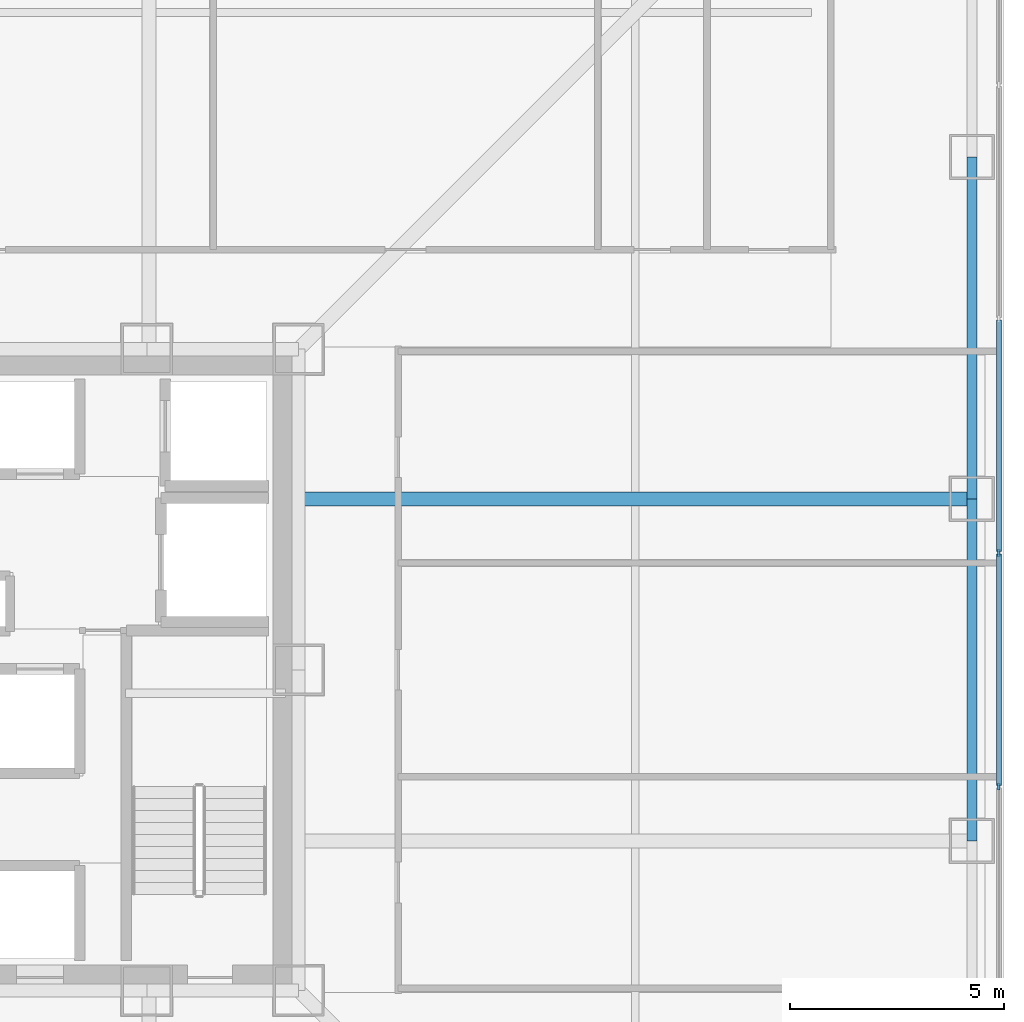
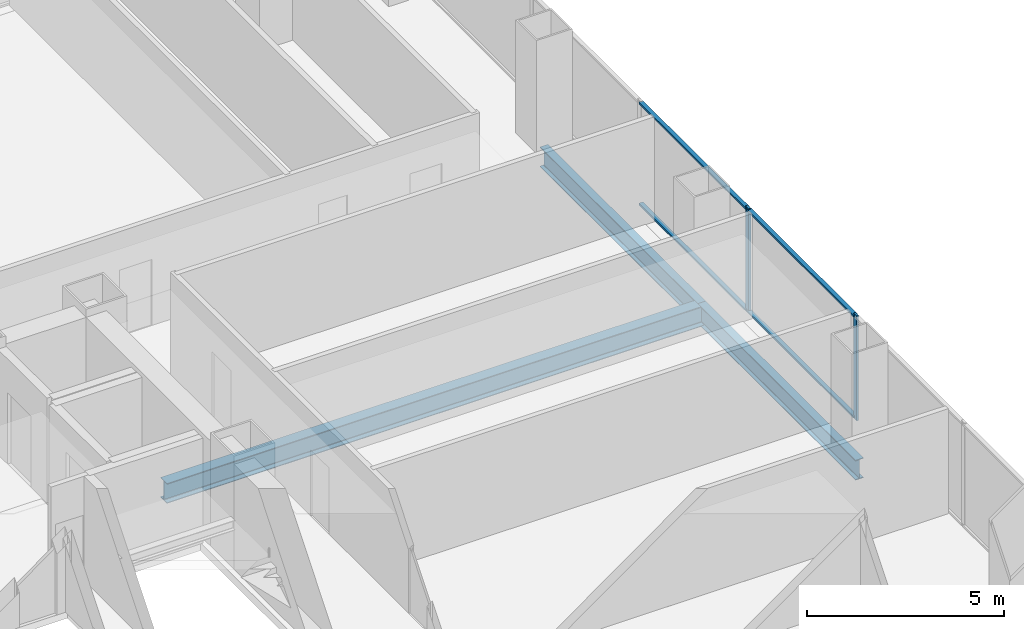
# One storey, part 10 of 19: 6 members, 3 beams, 1 element without a shape of its own.
"""IFC4 building model written with IfcOpenShell, lengths in metres."""

import ifcopenshell
import ifcopenshell.guid

model = None  # the IFC model being written
_history = None  # IfcOwnerHistory: only IFC2X3 demands one
_inside = {}  # id of a spatial element -> (the spatial element, [elements in it])
_under = {}  # id of a project, library or spatial element -> (it, [spatial elements below it])
_declared = {}  # id of a project -> (the project, [libraries it declares])
_typed = {}  # id of a type object -> (the type object, [elements of that type])
_made_of = {}  # id of a material, layer set ... -> (it, [elements and type objects made of it])


def new_model(schema):
    """Start an empty IFC model of exactly this schema.

    Asked for "IFC4X3", IfcOpenShell would pick the latest addendum, in which some entities
    have other attributes; the version numbers below select the first issue.
    IFC2X3 requires an IfcOwnerHistory on every rooted entity: one is made here for all.
    """
    global model, _history
    if schema == "IFC4X3":
        model = ifcopenshell.file(schema_version=(4, 3, 0, 0))
    else:
        model = ifcopenshell.file(schema=schema)
    _inside.clear()
    _under.clear()
    _declared.clear()
    _typed.clear()
    _made_of.clear()
    _history = None
    if model.schema == "IFC2X3":
        org = make("IfcOrganization", Name="unknown")
        user = make(
            "IfcPersonAndOrganization",
            ThePerson=make("IfcPerson", FamilyName="unknown"),
            TheOrganization=org,
        )
        app = make(
            "IfcApplication",
            ApplicationDeveloper=org,
            Version="unknown",
            ApplicationFullName="unknown",
            ApplicationIdentifier="unknown",
        )
        _history = make(
            "IfcOwnerHistory",
            OwningUser=user,
            OwningApplication=app,
            ChangeAction="ADDED",
            CreationDate=0,
        )
    return model


def make(cls, **values):
    """One entity of the class cls with the attributes given. An attribute that is None is left unset."""
    return model.create_entity(
        cls, **{name: value for name, value in values.items() if value is not None}
    )


def rooted(cls, **values):
    """An entity with a GlobalId (a new one), such as an element, a storey or a relation."""
    return make(cls, GlobalId=ifcopenshell.guid.new(), OwnerHistory=_history, **values)


def si_unit(unit_type, name, prefix=None):
    """IfcSIUnit, for example si_unit("LENGTHUNIT", "METRE", prefix="MILLI")."""
    return make("IfcSIUnit", UnitType=unit_type, Prefix=prefix, Name=name)


def assignment(units):
    """IfcUnitAssignment: the units of a project."""
    return None if units is None else make("IfcUnitAssignment", Units=units)


def point(xyz):
    """IfcCartesianPoint."""
    return None if xyz is None else make("IfcCartesianPoint", Coordinates=xyz)


def direction(xyz):
    """IfcDirection."""
    return None if xyz is None else make("IfcDirection", DirectionRatios=xyz)


def frame(location, z_axis=None, x_axis=None):
    """IfcAxis2Placement3D, a coordinate frame: its origin and axes. An axis left out is left unset."""
    return make(
        "IfcAxis2Placement3D",
        Location=point(location),
        Axis=direction(z_axis),
        RefDirection=direction(x_axis),
    )


def frame_2d(location, x_axis=None):
    """IfcAxis2Placement2D, a coordinate frame in the plane: its origin and x axis."""
    return make(
        "IfcAxis2Placement2D", Location=point(location), RefDirection=direction(x_axis)
    )


def origin():
    """The frame at (0, 0, 0) with its axes left unset."""
    return frame((0.0, 0.0, 0.0))


def origin_2d():
    """The frame at (0, 0) in the plane with its x axis left unset."""
    return frame_2d((0.0, 0.0))


def place(relative_to, where):
    """IfcLocalPlacement: puts the frame where relative to a parent placement (None: the world)."""
    return make(
        "IfcLocalPlacement", PlacementRelTo=relative_to, RelativePlacement=where
    )


def context(
    kind, dimensions, precision=None, world=None, true_north=None, identifier=None
):
    """IfcGeometricRepresentationContext, for example the 3D "Model" context."""
    return make(
        "IfcGeometricRepresentationContext",
        ContextIdentifier=identifier,
        ContextType=kind,
        CoordinateSpaceDimension=dimensions,
        Precision=precision,
        WorldCoordinateSystem=world,
        TrueNorth=true_north,
    )


def subcontext(parent, identifier, kind, view, scale=None):
    """IfcGeometricRepresentationSubContext, for example "Body" below "Model"."""
    return make(
        "IfcGeometricRepresentationSubContext",
        ContextIdentifier=identifier,
        ContextType=kind,
        ParentContext=parent,
        TargetScale=scale,
        TargetView=view,
    )


def project(units=None, contexts=None):
    """IfcProject with its units and contexts."""
    return rooted(
        "IfcProject",
        Name="project",
        RepresentationContexts=contexts,
        UnitsInContext=assignment(units),
    )


def spatial(cls, under=None, at=None, **own):
    """A site, building, storey or space (cls), placed at a placement, below another one or the project."""
    s = rooted(cls, ObjectPlacement=at, **own)
    if under is not None:
        _under.setdefault(under.id(), (under, []))[1].append(s)
    return s


def profile(cls, at=None, kind="AREA", **sizes):
    """A parametric profile (cls). Its sizes go by their IFC names, for example OverallWidth=200.0."""
    return make(cls, ProfileType=kind, Position=at, **sizes)


def rectangle(**sizes):
    """IfcRectangleProfileDef."""
    return profile("IfcRectangleProfileDef", **sizes)


def i_section(**sizes):
    """IfcIShapeProfileDef."""
    return profile("IfcIShapeProfileDef", **sizes)


def extrude(swept, where, along, depth):
    """IfcExtrudedAreaSolid: the profile swept, set in the frame where, extruded along a direction by depth."""
    return make(
        "IfcExtrudedAreaSolid",
        SweptArea=swept,
        Position=where,
        ExtrudedDirection=direction(along),
        Depth=depth,
    )


def shape(context_of_items, identifier, shape_type, items):
    """IfcShapeRepresentation: the items that make up one representation, for example the "Body"."""
    return make(
        "IfcShapeRepresentation",
        ContextOfItems=context_of_items,
        RepresentationIdentifier=identifier,
        RepresentationType=shape_type,
        Items=items,
    )


def material(Name=None, Category=None):
    """IfcMaterial."""
    return make("IfcMaterial", Name=Name, Category=Category)


def layer(
    of_material, thickness, ventilated=None, Name=None, Category=None, Priority=None
):
    """IfcMaterialLayer: one layer of a wall or slab, of a material (None: an air gap)."""
    return make(
        "IfcMaterialLayer",
        Material=of_material,
        LayerThickness=thickness,
        IsVentilated=ventilated,
        Name=Name,
        Category=Category,
        Priority=Priority,
    )


def layer_set(layers, Name=None):
    """IfcMaterialLayerSet."""
    return make("IfcMaterialLayerSet", MaterialLayers=layers, LayerSetName=Name)


def material_profile(
    of_material, cross_section, Name=None, Category=None, Priority=None
):
    """IfcMaterialProfile: a cross section and its material."""
    return make(
        "IfcMaterialProfile",
        Name=Name,
        Material=of_material,
        Profile=cross_section,
        Priority=Priority,
        Category=Category,
    )


def profile_set(profiles, Name=None, composite=None):
    """IfcMaterialProfileSet."""
    return make(
        "IfcMaterialProfileSet",
        Name=Name,
        MaterialProfiles=profiles,
        CompositeProfile=composite,
    )


def made_of(thing, what):
    """Note that an element or type object is made of a material, layer set ...; save() writes the relation."""
    if what is not None:
        _made_of.setdefault(what.id(), (what, []))[1].append(thing)
    return thing


def type_object(cls, material=None, **own):
    """A type object (cls), such as IfcWallType, which elements share."""
    return made_of(rooted(cls, **own), material)


def element(
    cls,
    number,
    at=None,
    inside=None,
    cuts=None,
    type_object=None,
    material=None,
    context=None,
    identifier="Body",
    shape_type=None,
    held_by="IfcProductDefinitionShape",
    body=None,
    shapes=None,
    **own,
):
    """One element of the class cls, such as IfcWall. Its Tag is "e" and its number.

    at: its placement. inside: the storey or other place that contains it. cuts: it is an
    opening in that element (IfcRelVoidsElement). A single representation is given by context,
    identifier, shape_type and body (its items); several are given by shapes. held_by: the class
    of the entity that holds the representations. save() writes the other relations.
    """
    e = rooted(cls, Tag="e%d" % number, ObjectPlacement=at, **own)
    if body is not None:
        shapes = [shape(context, identifier, shape_type, body)]
    if shapes is not None:
        e.Representation = make(held_by, Representations=shapes)
    if inside is not None:
        _inside.setdefault(inside.id(), (inside, []))[1].append(e)
    if cuts is not None:
        rooted(
            "IfcRelVoidsElement", RelatingBuildingElement=cuts, RelatedOpeningElement=e
        )
    if type_object is not None:
        _typed.setdefault(type_object.id(), (type_object, []))[1].append(e)
    return made_of(e, material)


def aggregate(whole, parts):
    """IfcRelAggregates: a whole, such as a stair, and the parts it consists of."""
    return rooted("IfcRelAggregates", RelatingObject=whole, RelatedObjects=parts)


def save(model, path):
    """Write the relations noted so far, then the file.

    IfcRelAggregates (storeys below a building ...), IfcRelContainedInSpatialStructure (elements
    in a storey), IfcRelDefinesByType, IfcRelAssociatesMaterial and IfcRelDeclares: one each for
    every whole, place, type object, material and project.
    """
    for whole, parts in _under.values():
        aggregate(whole, parts)
    for where, things in _inside.values():
        rooted(
            "IfcRelContainedInSpatialStructure",
            RelatedElements=things,
            RelatingStructure=where,
        )
    for kind, things in _typed.values():
        rooted("IfcRelDefinesByType", RelatedObjects=things, RelatingType=kind)
    for what, things in _made_of.values():
        rooted("IfcRelAssociatesMaterial", RelatedObjects=things, RelatingMaterial=what)
    for by, libraries in _declared.values():
        rooted("IfcRelDeclares", RelatingContext=by, RelatedDefinitions=libraries)
    model.write(path)


model = new_model("IFC4")

# Units and contexts
model_context = context("Model", 3, precision=1e-05, world=origin(), true_north=direction((0.0, 1.0)))
body_context = subcontext(model_context, "Body", "Model", "MODEL_VIEW")
ifc_project = project(units=[si_unit("LENGTHUNIT", "METRE"), si_unit("AREAUNIT", "SQUARE_METRE"), si_unit("VOLUMEUNIT", "CUBIC_METRE"), si_unit("PLANEANGLEUNIT", "RADIAN"), si_unit("MASSUNIT", "GRAM", prefix="KILO")], contexts=[model_context])

# Site, building, storey
site_placement = place(None, origin())
site = spatial("IfcSite", under=ifc_project, at=site_placement, CompositionType="ELEMENT")
building_placement = place(site_placement, origin())
building = spatial("IfcBuilding", under=site, at=building_placement, Name="Trevonay Congress Spire", CompositionType="ELEMENT")
storey_placement = place(building_placement, frame((0.0, 0.0, 41.0)))
storey = spatial("IfcBuildingStorey", under=building, at=storey_placement, Name="L09", CompositionType="ELEMENT", Elevation=41.0)

# Beams
ifc_material_1 = material(Name="Steel ASTM A572 Grade 50", Category="steel")
ifc_material_profile_1 = material_profile(ifc_material_1, i_section(OverallWidth=0.324951171875, OverallDepth=0.615966796875, WebThickness=0.013916015625, FlangeThickness=0.021484375, FilletRadius=0.01806640625, at=origin_2d()), Name="W610x174")
ifc_profile_set_1 = profile_set([ifc_material_profile_1], Name="Steel ASTM A572 Grade 50")
beam_type_1 = type_object("IfcBeamType", Name="BM-GIRD-W610X174", PredefinedType="BEAM", material=ifc_profile_set_1)
beam_placement = place(storey_placement, frame((7.5, 4.0, -0.55810546875), z_axis=(1.0, 0.0, 0.0), x_axis=(0.0, 1.0, 0.0)))
element("IfcBeam", 1, at=beam_placement, inside=storey, type_object=beam_type_1, Name="L09 structural beam BM-L09-GE-P", PredefinedType="BEAM", context=body_context, shape_type="SweptSolid", body=[
    extrude(i_section(OverallWidth=0.324951171875, OverallDepth=0.615966796875, WebThickness=0.013916015625, FlangeThickness=0.021484375, FilletRadius=0.01806640625, at=origin_2d()), origin(), (0.0, 0.0, 1.0), 15.75),
])
ifc_material_profile_2 = material_profile(ifc_material_1, i_section(OverallWidth=0.22998046875, OverallDepth=0.616943359375, WebThickness=0.01318359375, FlangeThickness=0.022216796875, FilletRadius=0.01611328125, at=origin_2d()), Name="W610x140")
ifc_profile_set_2 = profile_set([ifc_material_profile_2], Name="Steel ASTM A572 Grade 50")
beam_type_2 = type_object("IfcBeamType", Name="BM-RING-W610X140", PredefinedType="BEAM", material=ifc_profile_set_2)
for number, where, z_axis, x_axis, name in (
    (2, (23.25, -4.0, -0.55859375), (0.0, 1.0, 0.0), (-1.0, 0.0, 0.0), "L09 structural beam BM-L09-PE3"),
    (3, (23.25, 4.0, -0.55859375), (0.0, 1.0, 0.0), (-1.0, 0.0, 0.0), "L09 structural beam BM-L09-PE4"),
):
    element("IfcBeam", number, at=place(storey_placement, frame(where, z_axis=z_axis, x_axis=x_axis)), inside=storey, type_object=beam_type_2, Name=name, PredefinedType="BEAM", context=body_context, shape_type="SweptSolid", body=[
        extrude(i_section(OverallWidth=0.22998046875, OverallDepth=0.616943359375, WebThickness=0.01318359375, FlangeThickness=0.022216796875, FilletRadius=0.01611328125, at=origin_2d()), origin(), (0.0, 0.0, 1.0), 8.0),
    ])

# Curtain wall, members
ifc_material_2 = material(Name="Pale Anodised Aluminium EN AW-6063-T6", Category="aluminium")
ifc_layer = layer(ifc_material_2, 0.179931640625, Name="Pale Anodised Aluminium EN AW-6063-T6")
ifc_layer_set = layer_set([ifc_layer], Name="Pale Anodised Aluminium EN AW-6063-T6")
curtain_wall_type = type_object("IfcCurtainWallType", Name="CW-SYS02-HOTEL-PALE-METAL", PredefinedType="NOTDEFINED", material=ifc_layer_set)
curtain_wall_placement = place(storey_placement, origin())
curtain_wall = element("IfcCurtainWall", 4, at=curtain_wall_placement, inside=storey, type_object=curtain_wall_type, Name="L09 E unitised curtain wall", PredefinedType="NOTDEFINED")
ifc_material_profile_3 = material_profile(ifc_material_2, rectangle(XDim=0.06005859375, YDim=0.159912109375, at=origin_2d()), Name="CW-MULLION-160-ALUMINIUM")
ifc_profile_set_3 = profile_set([ifc_material_profile_3], Name="Pale Anodised Aluminium EN AW-6063-T6")
member_type_1 = type_object("IfcMemberType", Name="CW-MULLION-160-ALUMINIUM", PredefinedType="MULLION", material=ifc_profile_set_3)
member_1_placement = place(storey_placement, frame((23.8798828125, -2.735595703125, 0.0), z_axis=(0.0, 0.0, 1.0), x_axis=(-1.0, 0.0, 0.0)))
member_1 = element("IfcMember", 5, at=member_1_placement, type_object=member_type_1, Name="CW02 mullion 4", PredefinedType="MULLION", context=body_context, shape_type="SweptSolid", body=[
    extrude(rectangle(XDim=0.06005859375, YDim=0.159912109375, at=origin_2d()), origin(), (0.0, 0.0, 1.0), 3.25),
])
member_2_placement = place(storey_placement, frame((23.8798828125, 2.735595703125, 0.0), z_axis=(0.0, 0.0, 1.0), x_axis=(-1.0, 0.0, 0.0)))
member_2 = element("IfcMember", 6, at=member_2_placement, type_object=member_type_1, Name="CW02 mullion 5", PredefinedType="MULLION", context=body_context, shape_type="SweptSolid", body=[
    extrude(rectangle(XDim=0.06005859375, YDim=0.159912109375, at=origin_2d()), origin(), (0.0, 0.0, 1.0), 3.25),
])
ifc_material_profile_4 = material_profile(ifc_material_2, rectangle(XDim=0.1201171875, YDim=0.06005859375, at=origin_2d()), Name="CW-TRANSOM-120-ALUMINIUM")
ifc_profile_set_4 = profile_set([ifc_material_profile_4], Name="Pale Anodised Aluminium EN AW-6063-T6")
member_type_2 = type_object("IfcMemberType", Name="CW-TRANSOM-120-ALUMINIUM", PredefinedType="USERDEFINED", material=ifc_profile_set_4)
member_3_placement = place(storey_placement, frame((23.8798828125, -2.705810546875, 0.06005859375), z_axis=(0.0, 1.0, 0.0), x_axis=(-1.0, 0.0, 0.0)))
member_3 = element("IfcMember", 7, at=member_3_placement, type_object=member_type_2, Name="CW02 transom 4.1", ObjectType="TRANSOM", PredefinedType="USERDEFINED", context=body_context, shape_type="SweptSolid", body=[
    extrude(rectangle(XDim=0.1201171875, YDim=0.06005859375, at=origin_2d()), origin(), (0.0, 0.0, 1.0), 5.41162109375),
])
member_4_placement = place(storey_placement, frame((23.8798828125, -2.705810546875, 3.18994140625), z_axis=(0.0, 1.0, 0.0), x_axis=(-1.0, 0.0, 0.0)))
member_4 = element("IfcMember", 8, at=member_4_placement, type_object=member_type_2, Name="CW02 transom 4.2", ObjectType="TRANSOM", PredefinedType="USERDEFINED", context=body_context, shape_type="SweptSolid", body=[
    extrude(rectangle(XDim=0.1201171875, YDim=0.06005859375, at=origin_2d()), origin(), (0.0, 0.0, 1.0), 5.41162109375),
])
member_5_placement = place(storey_placement, frame((23.8798828125, 2.765625, 0.06005859375), z_axis=(0.0, 1.0, 0.0), x_axis=(-1.0, 0.0, 0.0)))
member_5 = element("IfcMember", 9, at=member_5_placement, type_object=member_type_2, Name="CW02 transom 5.1", ObjectType="TRANSOM", PredefinedType="USERDEFINED", context=body_context, shape_type="SweptSolid", body=[
    extrude(rectangle(XDim=0.1201171875, YDim=0.06005859375, at=origin_2d()), origin(), (0.0, 0.0, 1.0), 5.41162109375),
])
member_6_placement = place(storey_placement, frame((23.8798828125, 2.765625, 3.18994140625), z_axis=(0.0, 1.0, 0.0), x_axis=(-1.0, 0.0, 0.0)))
member_6 = element("IfcMember", 10, at=member_6_placement, type_object=member_type_2, Name="CW02 transom 5.2", ObjectType="TRANSOM", PredefinedType="USERDEFINED", context=body_context, shape_type="SweptSolid", body=[
    extrude(rectangle(XDim=0.1201171875, YDim=0.06005859375, at=origin_2d()), origin(), (0.0, 0.0, 1.0), 5.41162109375),
])
aggregate(curtain_wall, [member_1, member_2, member_3, member_4, member_5, member_6])

save(model, "model.ifc")
